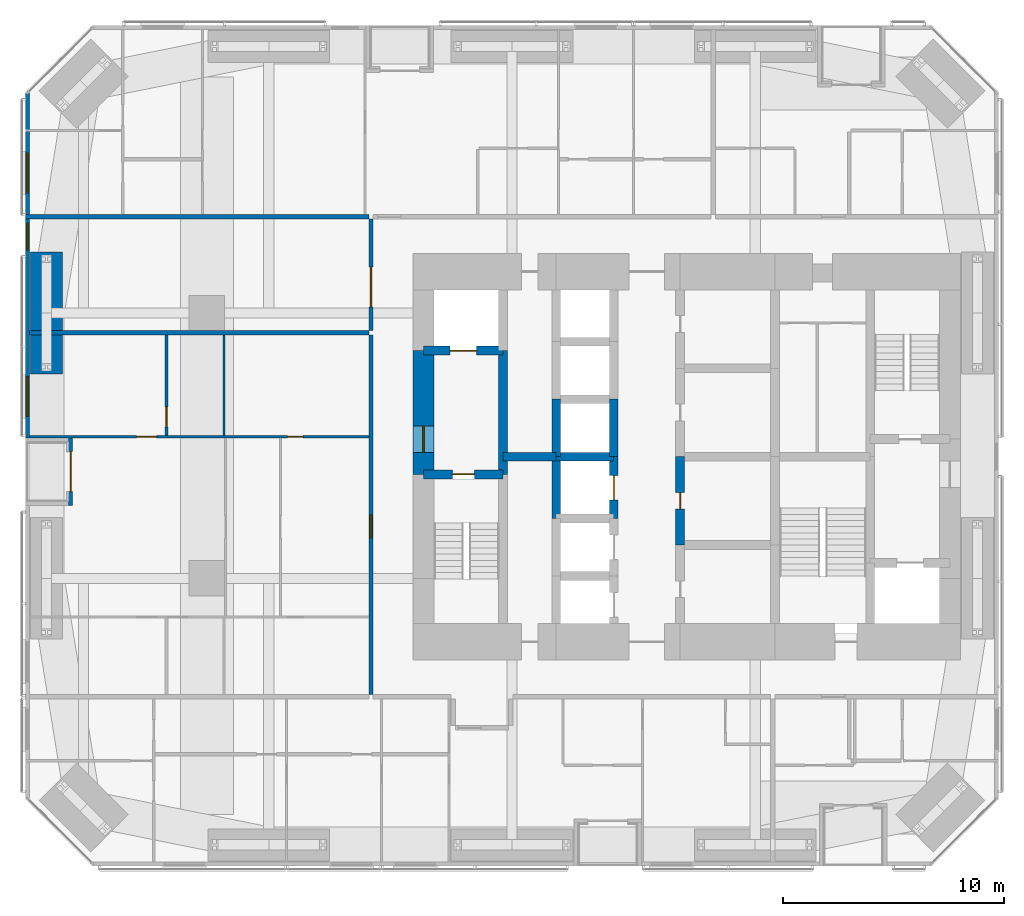
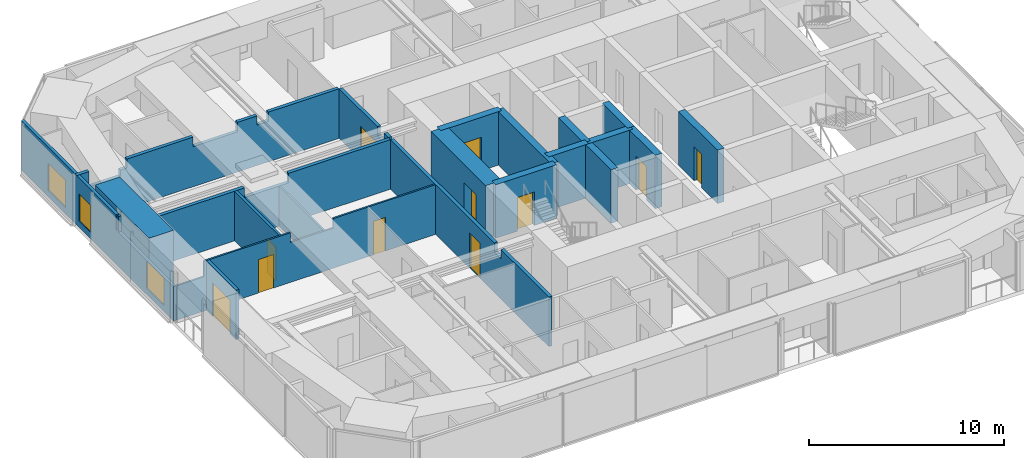
# One storey, part 19 of 24: 21 walls, 11 doors, 3 windows, 14 openings.
"""IFC4 building model written with IfcOpenShell, lengths in metres."""

from ifc_helpers import new_model, si_unit, direction, frame, frame_2d, origin, place, context, subcontext, project, spatial, polyline, rectangle, outline, extrude, material, layer, layer_set, constituent, constituent_set, type_object, element, fill, save


model = new_model("IFC4")

# Units and contexts
model_context = context("Model", 3, precision=1e-05, world=origin(), true_north=direction((0.0, 1.0)))
body_context = subcontext(model_context, "Body", "Model", "MODEL_VIEW")
ifc_project = project(units=[si_unit("LENGTHUNIT", "METRE"), si_unit("AREAUNIT", "SQUARE_METRE"), si_unit("VOLUMEUNIT", "CUBIC_METRE"), si_unit("PLANEANGLEUNIT", "RADIAN"), si_unit("MASSUNIT", "GRAM", prefix="KILO")], contexts=[model_context])

# Site, building, storey
site_placement = place(None, origin())
site = spatial("IfcSite", under=ifc_project, at=site_placement, CompositionType="ELEMENT")
building_placement = place(site_placement, origin())
building = spatial("IfcBuilding", under=site, at=building_placement, Name="Jalousie Tower", CompositionType="ELEMENT")
storey_placement = place(building_placement, frame((0.0, 0.0, 61.199951171875)))
storey = spatial("IfcBuildingStorey", under=building, at=storey_placement, Name="L16", CompositionType="ELEMENT", Elevation=61.199951171875)

# Wall, opening, door
ifc_material_1 = material(Name="Concrete block ASTM C90", Category="concrete")
ifc_constituent_1 = constituent(ifc_material_1, Name="Body")
ifc_material_2 = material(Name="Render")
ifc_constituent_2 = constituent(ifc_material_2, Name="Finish")
ifc_constituent_set_1 = constituent_set(constituents=[ifc_constituent_1, ifc_constituent_2])
wall_type_1 = type_object("IfcWallType", Name="BATHROOM WALL 150", PredefinedType="PLUMBINGWALL", material=ifc_constituent_set_1)
wall_1_placement = place(storey_placement, frame((8.375, 19.449951171875, 0.0), z_axis=(0.0, 0.0, 1.0), x_axis=(0.0, 1.0, 0.0)))
wall_1 = element("IfcWall", 1, at=wall_1_placement, inside=storey, type_object=wall_type_1, Name="Bathroom Wall 150 L16", PredefinedType="PLUMBINGWALL", context=body_context, shape_type="SweptSolid", body=[
    extrude(rectangle(XDim=4.550048828125, YDim=0.14990234375, at=frame_2d((2.27490234375, 0.0))), origin(), (0.0, 0.0, 1.0), 3.110107421875),
])
opening_1_placement = place(wall_1_placement, frame((0.39990234375, 0.0, 0.0)))
opening_1 = element("IfcOpeningElement", 2, at=opening_1_placement, cuts=wall_1, Name="Opening D3", PredefinedType="OPENING", context=body_context, shape_type="SweptSolid", body=[
    extrude(rectangle(XDim=0.89990234375, YDim=2.10009765625, at=frame_2d((0.449951171875, 1.050048828125))), frame((0.0, 0.0849609375, 0.0), z_axis=(0.0, -1.0, 0.0), x_axis=(1.0, 0.0, 0.0)), (0.0, 0.0, 1.0), 0.169921875),
])
ifc_material_3 = material(Name="Timber door", Category="wood")
door_type_1 = type_object("IfcDoorType", Name="BATHROOM DOOR 900", OperationType="SINGLE_SWING_LEFT", PredefinedType="DOOR", material=ifc_material_3)
door_1_placement = place(opening_1_placement, frame((0.89990234375, 0.0, 0.0), z_axis=(0.0, 0.0, 1.0), x_axis=(-1.0, 0.0, 0.0)))
door_1 = element("IfcDoor", 3, at=door_1_placement, inside=storey, type_object=door_type_1, Name="Apartment 1605 bedroom 2 bathroom door", OperationType="SINGLE_SWING_RIGHT", OverallHeight=2.10009765625, OverallWidth=0.89990234375, PredefinedType="DOOR", context=body_context, shape_type="SweptSolid", body=[
    extrude(rectangle(XDim=0.89990234375, YDim=2.10009765625, at=frame_2d((0.449951171875, 1.050048828125))), frame((0.0, 0.02490234375, 0.0), z_axis=(0.0, -1.0, 0.0), x_axis=(1.0, 0.0, 0.0)), (0.0, 0.0, 1.0), 0.050048828125),
])
fill(opening_1, door_1)

# Walls
ifc_material_4 = material(Name="Concrete f'c 120 MPa", Category="concrete")
ifc_layer_1 = layer(ifc_material_4, 0.39990234375)
ifc_layer_set_1 = layer_set([ifc_layer_1], Name="Concrete f'c 120 MPa")
wall_type_2 = type_object("IfcWallType", Name="CORE WALL 400", PredefinedType="SHEAR", material=ifc_layer_set_1)
wall_2_placement = place(storey_placement, frame((23.60009765625, 17.699951171875, 0.0), z_axis=(0.0, 0.0, 1.0), x_axis=(0.0, 1.0, 0.0)))
element("IfcWall", 4, at=wall_2_placement, inside=storey, type_object=wall_type_2, Name="Core wall X23.6B L16", PredefinedType="SHEAR", context=body_context, shape_type="SweptSolid", body=[
    extrude(rectangle(XDim=5.60009765625, YDim=0.39990234375, at=frame_2d((2.800048828125, 0.0))), origin(), (0.0, 0.0, 1.0), 3.35009765625),
])
wall_3_placement = place(storey_placement, frame((26.0, 15.699951171875, 0.0), z_axis=(0.0, 0.0, 1.0), x_axis=(0.0, 1.0, 0.0)))
element("IfcWall", 5, at=wall_3_placement, inside=storey, type_object=wall_type_2, Name="Core wall X26C L16", PredefinedType="SHEAR", context=body_context, shape_type="SweptSolid", body=[
    extrude(rectangle(XDim=2.800048828125, YDim=0.39990234375, at=frame_2d((1.39990234375, 0.0))), origin(), (0.0, 0.0, 1.0), 3.35009765625),
])
wall_4_placement = place(storey_placement, frame((26.0, 18.5, 0.0), z_axis=(0.0, 0.0, 1.0), x_axis=(0.0, 1.0, 0.0)))
element("IfcWall", 6, at=wall_4_placement, inside=storey, type_object=wall_type_2, Name="Core wall X26D L16", PredefinedType="SHEAR", context=body_context, shape_type="SweptSolid", body=[
    extrude(rectangle(XDim=2.60009765625, YDim=0.39990234375, at=frame_2d((1.300048828125, 0.0))), origin(), (0.0, 0.0, 1.0), 3.35009765625),
])

# Wall, opening, door
wall_5_placement = place(storey_placement, frame((28.60009765625, 15.699951171875, 0.0), z_axis=(0.0, 0.0, 1.0), x_axis=(0.0, 1.0, 0.0)))
wall_5 = element("IfcWall", 7, at=wall_5_placement, inside=storey, type_object=wall_type_2, Name="Core wall X28.6C L16", PredefinedType="SHEAR", context=body_context, shape_type="SweptSolid", body=[
    extrude(rectangle(XDim=2.800048828125, YDim=0.39990234375, at=frame_2d((1.39990234375, 0.0))), origin(), (0.0, 0.0, 1.0), 3.35009765625),
])
opening_2_placement = place(wall_5_placement, frame((0.85009765625, 0.0, 0.0)))
opening_2 = element("IfcOpeningElement", 8, at=opening_2_placement, cuts=wall_5, Name="Opening LD1", PredefinedType="OPENING", context=body_context, shape_type="SweptSolid", body=[
    extrude(rectangle(XDim=1.10009765625, YDim=2.10009765625, at=frame_2d((0.550048828125, 1.050048828125))), frame((0.0, 0.2099609375, 0.0), z_axis=(0.0, -1.0, 0.0), x_axis=(1.0, 0.0, 0.0)), (0.0, 0.0, 1.0), 0.419921875),
])
ifc_material_5 = material(Name="Steel lift landing door", Category="steel")
door_type_2 = type_object("IfcDoorType", Name="LIFT LANDING DOOR 1100", OperationType="SLIDING_TO_LEFT", PredefinedType="DOOR", material=ifc_material_5)
door_2_placement = place(opening_2_placement, origin())
door_2 = element("IfcDoor", 9, at=door_2_placement, inside=storey, type_object=door_type_2, Name="Lift P3 landing door", OperationType="SLIDING_TO_LEFT", OverallHeight=2.10009765625, OverallWidth=1.10009765625, PredefinedType="DOOR", context=body_context, shape_type="SweptSolid", body=[
    extrude(rectangle(XDim=1.10009765625, YDim=2.10009765625, at=frame_2d((0.550048828125, 1.050048828125))), frame((0.0, 0.02490234375, 0.0), z_axis=(0.0, -1.0, 0.0), x_axis=(1.0, 0.0, 0.0)), (0.0, 0.0, 1.0), 0.050048828125),
])
fill(opening_2, door_2)

# Wall
wall_6_placement = place(storey_placement, frame((28.60009765625, 18.5, 0.0), z_axis=(0.0, 0.0, 1.0), x_axis=(0.0, 1.0, 0.0)))
element("IfcWall", 10, at=wall_6_placement, inside=storey, type_object=wall_type_2, Name="Core wall X28.6D L16", PredefinedType="SHEAR", context=body_context, shape_type="SweptSolid", body=[
    extrude(rectangle(XDim=2.60009765625, YDim=0.39990234375, at=frame_2d((1.300048828125, 0.0))), origin(), (0.0, 0.0, 1.0), 3.35009765625),
])

# Wall, opening, door
wall_7_placement = place(storey_placement, frame((31.60009765625, 14.5, 0.0), z_axis=(0.0, 0.0, 1.0), x_axis=(0.0, 1.0, 0.0)))
wall_7 = element("IfcWall", 11, at=wall_7_placement, inside=storey, type_object=wall_type_2, Name="Core wall X31.6B L16", PredefinedType="SHEAR", context=body_context, shape_type="SweptSolid", body=[
    extrude(rectangle(XDim=4.0, YDim=0.39990234375, at=frame_2d((2.0, 0.0))), origin(), (0.0, 0.0, 1.0), 3.35009765625),
])
opening_3_placement = place(wall_7_placement, frame((1.625, 0.0, 0.0)))
opening_3 = element("IfcOpeningElement", 12, at=opening_3_placement, cuts=wall_7, Name="Opening D16", PredefinedType="OPENING", context=body_context, shape_type="SweptSolid", body=[
    extrude(rectangle(XDim=0.75, YDim=2.10009765625, at=frame_2d((0.375, 1.050048828125))), frame((0.0, 0.2099609375, 0.0), z_axis=(0.0, -1.0, 0.0), x_axis=(1.0, 0.0, 0.0)), (0.0, 0.0, 1.0), 0.419921875),
])
ifc_material_6 = material(Name="Steel fire door", Category="steel")
door_type_3 = type_object("IfcDoorType", Name="RISER DOOR 750", OperationType="SINGLE_SWING_LEFT", PredefinedType="DOOR", material=ifc_material_6)
door_3_placement = place(opening_3_placement, frame((0.75, 0.0, 0.0), z_axis=(0.0, 0.0, 1.0), x_axis=(-1.0, 0.0, 0.0)))
door_3 = element("IfcDoor", 13, at=door_3_placement, inside=storey, type_object=door_type_3, Name="Electrical Room door", OperationType="SINGLE_SWING_LEFT", OverallHeight=2.10009765625, OverallWidth=0.75, PredefinedType="DOOR", context=body_context, shape_type="SweptSolid", body=[
    extrude(rectangle(XDim=0.75, YDim=2.10009765625, at=frame_2d((0.375, 1.050048828125))), frame((0.0, 0.02490234375, 0.0), z_axis=(0.0, -1.0, 0.0), x_axis=(1.0, 0.0, 0.0)), (0.0, 0.0, 1.0), 0.050048828125),
])
fill(opening_3, door_3)

wall_8_placement = place(storey_placement, frame((20.0, 17.699951171875, 0.0), z_axis=(0.0, 0.0, 1.0), x_axis=(1.0, 0.0, 0.0)))
wall_8 = element("IfcWall", 14, at=wall_8_placement, inside=storey, type_object=wall_type_2, Name="Core wall Y20-17.7 L16", PredefinedType="SHEAR", context=body_context, shape_type="SweptSolid", body=[
    extrude(rectangle(XDim=3.60009765625, YDim=0.39990234375, at=frame_2d((1.800048828125, 0.0))), origin(), (0.0, 0.0, 1.0), 3.35009765625),
])
opening_4_placement = place(wall_8_placement, frame((1.300048828125, 0.0, 0.0)))
opening_4 = element("IfcOpeningElement", 15, at=opening_4_placement, cuts=wall_8, Name="Opening D10", PredefinedType="OPENING", context=body_context, shape_type="SweptSolid", body=[
    extrude(rectangle(XDim=1.0, YDim=2.10009765625, at=frame_2d((0.5, 1.050048828125))), frame((0.0, 0.2099609375, 0.0), z_axis=(0.0, -1.0, 0.0), x_axis=(1.0, 0.0, 0.0)), (0.0, 0.0, 1.0), 0.419921875),
])
ifc_material_7 = material(Name="Steel fire door", Category="steel")
door_type_4 = type_object("IfcDoorType", Name="STAIR DOOR 1000", OperationType="SINGLE_SWING_LEFT", PredefinedType="DOOR", material=ifc_material_7)
door_4_placement = place(opening_4_placement, frame((1.0, 0.0, 0.0), z_axis=(0.0, 0.0, 1.0), x_axis=(-1.0, 0.0, 0.0)))
door_4 = element("IfcDoor", 16, at=door_4_placement, inside=storey, type_object=door_type_4, Name="Exit stair A door", OperationType="SINGLE_SWING_RIGHT", OverallHeight=2.10009765625, OverallWidth=1.0, PredefinedType="DOOR", context=body_context, shape_type="SweptSolid", body=[
    extrude(rectangle(XDim=1.0, YDim=2.10009765625, at=frame_2d((0.5, 1.050048828125))), frame((0.0, 0.02490234375, 0.0), z_axis=(0.0, -1.0, 0.0), x_axis=(1.0, 0.0, 0.0)), (0.0, 0.0, 1.0), 0.050048828125),
])
fill(opening_4, door_4)

wall_9_placement = place(storey_placement, frame((20.0, 23.300048828125, 0.0), z_axis=(0.0, 0.0, 1.0), x_axis=(1.0, 0.0, 0.0)))
wall_9 = element("IfcWall", 17, at=wall_9_placement, inside=storey, type_object=wall_type_2, Name="Core wall Y20-23.3 L16", PredefinedType="SHEAR", context=body_context, shape_type="SweptSolid", body=[
    extrude(rectangle(XDim=3.60009765625, YDim=0.39990234375, at=frame_2d((1.800048828125, 0.0))), origin(), (0.0, 0.0, 1.0), 3.35009765625),
])
opening_5_placement = place(wall_9_placement, frame((1.199951171875, 0.0, 0.0)))
opening_5 = element("IfcOpeningElement", 18, at=opening_5_placement, cuts=wall_9, Name="Opening LD2", PredefinedType="OPENING", context=body_context, shape_type="SweptSolid", body=[
    extrude(rectangle(XDim=1.199951171875, YDim=2.10009765625, at=frame_2d((0.60009765625, 1.050048828125))), frame((0.0, 0.2099609375, 0.0), z_axis=(0.0, -1.0, 0.0), x_axis=(1.0, 0.0, 0.0)), (0.0, 0.0, 1.0), 0.419921875),
])
ifc_material_8 = material(Name="Steel lift landing door", Category="steel")
door_type_5 = type_object("IfcDoorType", Name="LIFT LANDING DOOR 1200", OperationType="SLIDING_TO_LEFT", PredefinedType="DOOR", material=ifc_material_8)
door_5_placement = place(opening_5_placement, origin())
door_5 = element("IfcDoor", 19, at=door_5_placement, inside=storey, type_object=door_type_5, Name="Lift F1 landing door", OperationType="SLIDING_TO_LEFT", OverallHeight=2.10009765625, OverallWidth=1.199951171875, PredefinedType="DOOR", context=body_context, shape_type="SweptSolid", body=[
    extrude(rectangle(XDim=1.199951171875, YDim=2.10009765625, at=frame_2d((0.60009765625, 1.050048828125))), frame((0.0, 0.02490234375, 0.0), z_axis=(0.0, -1.0, 0.0), x_axis=(1.0, 0.0, 0.0)), (0.0, 0.0, 1.0), 0.050048828125),
])
fill(opening_5, door_5)

# Walls
wall_10_placement = place(storey_placement, frame((23.60009765625, 18.5, 0.0), z_axis=(0.0, 0.0, 1.0), x_axis=(1.0, 0.0, 0.0)))
element("IfcWall", 20, at=wall_10_placement, inside=storey, type_object=wall_type_2, Name="Core wall Y23.6-18.5 L16", PredefinedType="SHEAR", context=body_context, shape_type="SweptSolid", body=[
    extrude(rectangle(XDim=2.39990234375, YDim=0.39990234375, at=frame_2d((1.199951171875, 0.0))), origin(), (0.0, 0.0, 1.0), 3.35009765625),
])
wall_11_placement = place(storey_placement, frame((26.0, 18.5, 0.0), z_axis=(0.0, 0.0, 1.0), x_axis=(1.0, 0.0, 0.0)))
element("IfcWall", 21, at=wall_11_placement, inside=storey, type_object=wall_type_2, Name="Core wall Y26-18.5 L16", PredefinedType="SHEAR", context=body_context, shape_type="SweptSolid", body=[
    extrude(rectangle(XDim=2.60009765625, YDim=0.39990234375, at=frame_2d((1.300048828125, 0.0))), origin(), (0.0, 0.0, 1.0), 3.35009765625),
])

# Wall, opening, door
ifc_material_9 = material(Name="Concrete f'c 120 MPa", Category="concrete")
ifc_layer_2 = layer(ifc_material_9, 0.949951171875)
ifc_layer_set_2 = layer_set([ifc_layer_2], Name="Concrete f'c 120 MPa")
wall_type_3 = type_object("IfcWallType", Name="CORE WALL 950", PredefinedType="SHEAR", material=ifc_layer_set_2)
wall_12_placement = place(storey_placement, frame((20.0, 23.300048828125, 0.0), z_axis=(0.0, 0.0, 1.0), x_axis=(0.0, -1.0, 0.0)))
wall_12 = element("IfcWall", 22, at=wall_12_placement, inside=storey, type_object=wall_type_3, Name="Core wall WB L16", PredefinedType="SHEAR", context=body_context, shape_type="SweptSolid", body=[
    extrude(rectangle(XDim=5.60009765625, YDim=0.949951171875, at=frame_2d((2.800048828125, 0.0))), origin(), (0.0, 0.0, 1.0), 3.35009765625),
])
opening_6_placement = place(wall_12_placement, frame((3.39990234375, 0.0, 0.0)))
opening_6 = element("IfcOpeningElement", 23, at=opening_6_placement, cuts=wall_12, Name="Opening D11", PredefinedType="OPENING", context=body_context, shape_type="SweptSolid", body=[
    extrude(rectangle(XDim=1.199951171875, YDim=2.199951171875, at=frame_2d((0.60009765625, 1.10009765625))), frame((0.0, 0.48486328125, 0.0), z_axis=(0.0, -1.0, 0.0), x_axis=(1.0, 0.0, 0.0)), (0.0, 0.0, 1.0), 0.969970703125),
])
ifc_material_10 = material(Name="Steel fire door", Category="steel")
door_type_6 = type_object("IfcDoorType", Name="FIRE DOOR 1200", OperationType="SINGLE_SWING_LEFT", PredefinedType="DOOR", material=ifc_material_10)
door_6_placement = place(opening_6_placement, origin())
door_6 = element("IfcDoor", 24, at=door_6_placement, inside=storey, type_object=door_type_6, Name="Fire-fighting lobby A door", OperationType="SINGLE_SWING_RIGHT", OverallHeight=2.199951171875, OverallWidth=1.199951171875, PredefinedType="DOOR", context=body_context, shape_type="SweptSolid", body=[
    extrude(rectangle(XDim=1.199951171875, YDim=2.199951171875, at=frame_2d((0.60009765625, 1.10009765625))), frame((0.0, 0.02490234375, 0.0), z_axis=(0.0, -1.0, 0.0), x_axis=(1.0, 0.0, 0.0)), (0.0, 0.0, 1.0), 0.050048828125),
])
fill(opening_6, door_6)

ifc_material_11 = material(Name="Concrete block ASTM C90", Category="concrete")
ifc_constituent_3 = constituent(ifc_material_11, Name="Body")
ifc_material_12 = material(Name="Render")
ifc_constituent_4 = constituent(ifc_material_12, Name="Finish")
ifc_constituent_set_2 = constituent_set(constituents=[ifc_constituent_3, ifc_constituent_4])
wall_type_4 = type_object("IfcWallType", Name="CORRIDOR WALL 200", PredefinedType="PARTITIONING", material=ifc_constituent_set_2)
wall_13_placement = place(storey_placement, frame((17.625, 7.75, 0.0), z_axis=(0.0, 0.0, 1.0), x_axis=(0.0, 1.0, 0.0)))
wall_13 = element("IfcWall", 25, at=wall_13_placement, inside=storey, type_object=wall_type_4, Name="Corridor Wall 200 L16", PredefinedType="PARTITIONING", context=body_context, shape_type="SweptSolid", body=[
    extrude(outline(polyline([(0.0, 0.0), (16.25, 0.0), (16.25, 3.110107421875), (5.58740234375, 3.110107421875), (5.58740234375, 2.541015625), (4.91259765625, 2.541015625), (4.91259765625, 3.110107421875), (0.0, 3.110107421875), (0.0, 0.0)])), frame((0.0, 0.10009765625, 0.0), z_axis=(0.0, -1.0, 0.0), x_axis=(1.0, 0.0, 0.0)), (0.0, 0.0, 1.0), 0.199951171875),
])
opening_7_placement = place(wall_13_placement, frame((7.074951171875, 0.0, 0.0)))
opening_7 = element("IfcOpeningElement", 26, at=opening_7_placement, cuts=wall_13, Name="Opening D1", PredefinedType="OPENING", context=body_context, shape_type="SweptSolid", body=[
    extrude(rectangle(XDim=1.050048828125, YDim=2.199951171875, at=frame_2d((0.52490234375, 1.10009765625))), frame((0.0, 0.10986328125, 0.0), z_axis=(0.0, -1.0, 0.0), x_axis=(1.0, 0.0, 0.0)), (0.0, 0.0, 1.0), 0.219970703125),
])
ifc_material_13 = material(Name="Timber fire door", Category="wood")
door_type_7 = type_object("IfcDoorType", Name="APARTMENT ENTRANCE DOOR 1050", OperationType="SINGLE_SWING_LEFT", PredefinedType="DOOR", material=ifc_material_13)
door_7_placement = place(opening_7_placement, origin())
door_7 = element("IfcDoor", 27, at=door_7_placement, inside=storey, type_object=door_type_7, Name="Apartment 1605 entrance", OperationType="SINGLE_SWING_LEFT", OverallHeight=2.199951171875, OverallWidth=1.050048828125, PredefinedType="DOOR", context=body_context, shape_type="SweptSolid", body=[
    extrude(rectangle(XDim=1.050048828125, YDim=2.199951171875, at=frame_2d((0.52490234375, 1.10009765625))), frame((0.0, 0.02490234375, 0.0), z_axis=(0.0, -1.0, 0.0), x_axis=(1.0, 0.0, 0.0)), (0.0, 0.0, 1.0), 0.050048828125),
])
fill(opening_7, door_7)

wall_14_placement = place(storey_placement, frame((17.625, 24.199951171875, 0.0), z_axis=(0.0, 0.0, 1.0), x_axis=(0.0, 1.0, 0.0)))
wall_14 = element("IfcWall", 28, at=wall_14_placement, inside=storey, type_object=wall_type_4, Name="Corridor Wall 200 L16", PredefinedType="PARTITIONING", context=body_context, shape_type="SweptSolid", body=[
    extrude(outline(polyline([(0.0, 0.0), (5.050048828125, 0.0), (5.050048828125, 3.110107421875), (1.13720703125, 3.110107421875), (1.13720703125, 2.541015625), (0.462646484375, 2.541015625), (0.462646484375, 3.110107421875), (0.0, 3.110107421875), (0.0, 0.0)])), frame((0.0, 0.10009765625, 0.0), z_axis=(0.0, -1.0, 0.0), x_axis=(1.0, 0.0, 0.0)), (0.0, 0.0, 1.0), 0.199951171875),
])
opening_8_placement = place(wall_14_placement, frame((1.074951171875, 0.0, 0.0)))
opening_8 = element("IfcOpeningElement", 29, at=opening_8_placement, cuts=wall_14, Name="Opening D22", PredefinedType="OPENING", context=body_context, shape_type="SweptSolid", body=[
    extrude(rectangle(XDim=1.800048828125, YDim=2.10009765625, at=frame_2d((0.89990234375, 1.050048828125))), frame((0.0, 0.10986328125, 0.0), z_axis=(0.0, -1.0, 0.0), x_axis=(1.0, 0.0, 0.0)), (0.0, 0.0, 1.0), 0.219970703125),
])
ifc_material_14 = material(Name="Timber fire door", Category="wood")
door_type_8 = type_object("IfcDoorType", Name="CORRIDOR DOUBLE DOOR 1800", OperationType="DOUBLE_DOOR_SINGLE_SWING", PredefinedType="DOOR", material=ifc_material_14)
door_8_placement = place(opening_8_placement, origin())
door_8 = element("IfcDoor", 30, at=door_8_placement, inside=storey, type_object=door_type_8, Name="Residents' co-working room door", OperationType="DOUBLE_DOOR_SINGLE_SWING", OverallHeight=2.10009765625, OverallWidth=1.800048828125, PredefinedType="DOOR", context=body_context, shape_type="SweptSolid", body=[
    extrude(rectangle(XDim=1.800048828125, YDim=2.10009765625, at=frame_2d((0.89990234375, 1.050048828125))), frame((0.0, 0.02490234375, 0.0), z_axis=(0.0, -1.0, 0.0), x_axis=(1.0, 0.0, 0.0)), (0.0, 0.0, 1.0), 0.050048828125),
])
fill(opening_8, door_8)

# Wall, openings, windows
ifc_material_15 = material(Name="Concrete f'c 40 MPa", Category="concrete")
ifc_constituent_5 = constituent(ifc_material_15, Name="Body")
ifc_material_16 = material(Name="Render, pastel coral")
ifc_constituent_6 = constituent(ifc_material_16, Name="Finish")
ifc_constituent_set_3 = constituent_set(constituents=[ifc_constituent_5, ifc_constituent_6])
wall_type_5 = type_object("IfcWallType", Name="EXTERNAL WALL 175 CORAL RENDER", PredefinedType="SOLIDWALL", material=ifc_constituent_set_3)
wall_15_placement = place(storey_placement, frame((2.08740234375, 34.94873046875, 0.0), z_axis=(0.0, 0.0, 1.0), x_axis=(0.0, -1.0, 0.0)))
wall_15 = element("IfcWall", 31, at=wall_15_placement, inside=storey, type_object=wall_type_5, Name="External Wall 175 Coral Render L16", PredefinedType="SOLIDWALL", context=body_context, shape_type="SweptSolid", body=[
    extrude(outline(polyline([(0.0, 0.0), (15.5986328125, 0.0), (15.5986328125, 2.150146484375), (9.94873046875, 2.150146484375), (9.94873046875, 3.110107421875), (9.822998046875, 3.110107421875), (9.822998046875, 2.150146484375), (9.72998046875, 2.150146484375), (9.72998046875, 3.110107421875), (0.0, 3.110107421875), (0.0, 0.0)])), frame((0.0, 0.08740234375, 0.0), z_axis=(0.0, -1.0, 0.0), x_axis=(1.0, 0.0, 0.0)), (0.0, 0.0, 1.0), 0.175048828125),
])
opening_9_placement = place(wall_15_placement, frame((2.72216796875, 0.0, 0.39990234375)))
opening_9 = element("IfcOpeningElement", 32, at=opening_9_placement, cuts=wall_15, Name="Opening W-BED170", PredefinedType="OPENING", context=body_context, shape_type="SweptSolid", body=[
    extrude(rectangle(XDim=1.800048828125, YDim=1.699951171875, at=frame_2d((0.89990234375, 0.85009765625))), frame((0.0, 0.097412109375, 0.0), z_axis=(0.0, -1.0, 0.0), x_axis=(1.0, 0.0, 0.0)), (0.0, 0.0, 1.0), 0.195068359375),
])
opening_10_placement = place(wall_15_placement, frame((5.898681640625, 0.0, 0.39990234375)))
opening_10 = element("IfcOpeningElement", 33, at=opening_10_placement, cuts=wall_15, Name="Opening W-COR170", PredefinedType="OPENING", context=body_context, shape_type="SweptSolid", body=[
    extrude(rectangle(XDim=1.199951171875, YDim=1.699951171875, at=frame_2d((0.60009765625, 0.85009765625))), frame((0.0, 0.097412109375, 0.0), z_axis=(0.0, -1.0, 0.0), x_axis=(1.0, 0.0, 0.0)), (0.0, 0.0, 1.0), 0.195068359375),
])
opening_11_placement = place(wall_15_placement, frame((12.82373046875, 0.0, 0.39990234375)))
opening_11 = element("IfcOpeningElement", 34, at=opening_11_placement, cuts=wall_15, Name="Opening W-BED170", PredefinedType="OPENING", context=body_context, shape_type="SweptSolid", body=[
    extrude(rectangle(XDim=1.800048828125, YDim=1.699951171875, at=frame_2d((0.89990234375, 0.85009765625))), frame((0.0, 0.097412109375, 0.0), z_axis=(0.0, -1.0, 0.0), x_axis=(1.0, 0.0, 0.0)), (0.0, 0.0, 1.0), 0.195068359375),
])
ifc_material_17 = material(Name="Aluminium frame, impact-rated glazing", Category="aluminium")
window_type_1 = type_object("IfcWindowType", Name="WINDOW BED 1800x1700", PartitioningType="SINGLE_PANEL", PredefinedType="WINDOW", material=ifc_material_17)
window_1_placement = place(opening_9_placement, origin())
window_1 = element("IfcWindow", 35, at=window_1_placement, inside=storey, type_object=window_type_1, Name="Apartment 1603 bedroom 1 window", OverallHeight=1.699951171875, OverallWidth=1.800048828125, PartitioningType="SINGLE_PANEL", PredefinedType="WINDOW", context=body_context, shape_type="SweptSolid", body=[
    extrude(rectangle(XDim=1.800048828125, YDim=1.699951171875, at=frame_2d((0.89990234375, 0.85009765625))), frame((0.0, 0.030029296875, 0.0), z_axis=(0.0, -1.0, 0.0), x_axis=(1.0, 0.0, 0.0)), (0.0, 0.0, 1.0), 0.06005859375),
])
fill(opening_9, window_1)
window_2_placement = place(opening_11_placement, origin())
window_2 = element("IfcWindow", 36, at=window_2_placement, inside=storey, type_object=window_type_1, Name="Apartment 1605 bedroom 2 window", OverallHeight=1.699951171875, OverallWidth=1.800048828125, PartitioningType="SINGLE_PANEL", PredefinedType="WINDOW", context=body_context, shape_type="SweptSolid", body=[
    extrude(rectangle(XDim=1.800048828125, YDim=1.699951171875, at=frame_2d((0.89990234375, 0.85009765625))), frame((0.0, 0.030029296875, 0.0), z_axis=(0.0, -1.0, 0.0), x_axis=(1.0, 0.0, 0.0)), (0.0, 0.0, 1.0), 0.06005859375),
])
fill(opening_11, window_2)
ifc_material_18 = material(Name="Aluminium frame, impact-rated glazing", Category="aluminium")
window_type_2 = type_object("IfcWindowType", Name="WINDOW COR 1200x1700", PartitioningType="SINGLE_PANEL", PredefinedType="WINDOW", material=ifc_material_18)
window_3_placement = place(opening_10_placement, origin())
window_3 = element("IfcWindow", 37, at=window_3_placement, inside=storey, type_object=window_type_2, Name="Residents' co-working room window", OverallHeight=1.699951171875, OverallWidth=1.199951171875, PartitioningType="SINGLE_PANEL", PredefinedType="WINDOW", context=body_context, shape_type="SweptSolid", body=[
    extrude(rectangle(XDim=1.199951171875, YDim=1.699951171875, at=frame_2d((0.60009765625, 0.85009765625))), frame((0.0, 0.030029296875, 0.0), z_axis=(0.0, -1.0, 0.0), x_axis=(1.0, 0.0, 0.0)), (0.0, 0.0, 1.0), 0.06005859375),
])
fill(opening_10, window_3)

# Wall, opening, door
wall_16_placement = place(storey_placement, frame((4.03759765625, 19.35009765625, 0.0), z_axis=(0.0, 0.0, 1.0), x_axis=(0.0, -1.0, 0.0)))
wall_16 = element("IfcWall", 38, at=wall_16_placement, inside=storey, type_object=wall_type_5, Name="External Wall 175 Coral Render L16", PredefinedType="SOLIDWALL", context=body_context, shape_type="SweptSolid", body=[
    extrude(rectangle(XDim=3.050048828125, YDim=0.175048828125, at=frame_2d((1.52490234375, 0.0))), origin(), (0.0, 0.0, 1.0), 3.110107421875),
])
opening_12_placement = place(wall_16_placement, frame((0.625, 0.0, 0.0)))
opening_12 = element("IfcOpeningElement", 39, at=opening_12_placement, cuts=wall_16, Name="Opening D-BAL21", PredefinedType="OPENING", context=body_context, shape_type="SweptSolid", body=[
    extrude(rectangle(XDim=1.800048828125, YDim=2.10009765625, at=frame_2d((0.89990234375, 1.050048828125))), frame((0.0, 0.097412109375, 0.0), z_axis=(0.0, -1.0, 0.0), x_axis=(1.0, 0.0, 0.0)), (0.0, 0.0, 1.0), 0.195068359375),
])
ifc_material_19 = material(Name="Aluminium frame, impact-rated glazing", Category="aluminium")
door_type_9 = type_object("IfcDoorType", Name="BALCONY DOOR 1800x2100", OperationType="SLIDING_TO_LEFT", PredefinedType="DOOR", material=ifc_material_19)
door_9_placement = place(opening_12_placement, origin())
door_9 = element("IfcDoor", 40, at=door_9_placement, inside=storey, type_object=door_type_9, Name="Apartment 1605 living room loggia door", OperationType="SLIDING_TO_LEFT", OverallHeight=2.10009765625, OverallWidth=1.800048828125, PredefinedType="DOOR", context=body_context, shape_type="SweptSolid", body=[
    extrude(rectangle(XDim=1.800048828125, YDim=2.10009765625, at=frame_2d((0.89990234375, 1.050048828125))), frame((0.0, 0.02490234375, 0.0), z_axis=(0.0, -1.0, 0.0), x_axis=(1.0, 0.0, 0.0)), (0.0, 0.0, 1.0), 0.050048828125),
])
fill(opening_12, door_9)

# Wall, openings, doors
ifc_material_20 = material(Name="Gypsum board", Category="gypsum")
ifc_constituent_7 = constituent(ifc_material_20, Name="Body")
ifc_material_21 = material(Name="Light-gauge steel studs ASTM A653 SS Grade 33", Category="steel")
ifc_constituent_8 = constituent(ifc_material_21, Name="Framing")
ifc_constituent_set_4 = constituent_set(constituents=[ifc_constituent_7, ifc_constituent_8])
wall_type_6 = type_object("IfcWallType", Name="PARTITION 100", PredefinedType="PARTITIONING", material=ifc_constituent_set_4)
wall_17_placement = place(storey_placement, frame((2.175048828125, 19.39990234375, 0.0), z_axis=(0.0, 0.0, 1.0), x_axis=(1.0, 0.0, 0.0)))
wall_17 = element("IfcWall", 41, at=wall_17_placement, inside=storey, type_object=wall_type_6, Name="Partition 100 L16", PredefinedType="PARTITIONING", context=body_context, shape_type="SweptSolid", body=[
    extrude(outline(polyline([(0.0, 0.0), (15.349853515625, 0.0), (15.35009765625, 3.110107421875), (9.284912109375, 3.110107421875), (9.284912109375, 2.510009765625), (6.764892578125, 2.510009765625), (6.764892578125, 3.110107421875), (1.635009765625, 3.110107421875), (1.635009765625, 2.150146484375), (0.0, 2.150146484375), (0.0, 3.110107421875), (0.0, 0.0)])), frame((0.0, 0.050048828125, 0.0), z_axis=(0.0, -1.0, 0.0), x_axis=(1.0, 0.0, 0.0)), (0.0, 0.0, 1.0), 0.10009765625),
])
opening_13_placement = place(wall_17_placement, frame((4.85009765625, 0.0, 0.0)))
opening_13 = element("IfcOpeningElement", 42, at=opening_13_placement, cuts=wall_17, Name="Opening D2", PredefinedType="OPENING", context=body_context, shape_type="SweptSolid", body=[
    extrude(rectangle(XDim=0.89990234375, YDim=2.10009765625, at=frame_2d((0.449951171875, 1.050048828125))), frame((0.0, 0.06005859375, 0.0), z_axis=(0.0, -1.0, 0.0), x_axis=(1.0, 0.0, 0.0)), (0.0, 0.0, 1.0), 0.1201171875),
])
opening_14_placement = place(wall_17_placement, frame((11.675048828125, 0.0, 0.0)))
opening_14 = element("IfcOpeningElement", 43, at=opening_14_placement, cuts=wall_17, Name="Opening D4", PredefinedType="OPENING", context=body_context, shape_type="SweptSolid", body=[
    extrude(rectangle(XDim=0.699951171875, YDim=2.10009765625, at=frame_2d((0.35009765625, 1.050048828125))), frame((0.0, 0.06005859375, 0.0), z_axis=(0.0, -1.0, 0.0), x_axis=(1.0, 0.0, 0.0)), (0.0, 0.0, 1.0), 0.1201171875),
])
ifc_material_22 = material(Name="Timber door", Category="wood")
door_type_10 = type_object("IfcDoorType", Name="BEDROOM DOOR 900", OperationType="SINGLE_SWING_LEFT", PredefinedType="DOOR", material=ifc_material_22)
door_10_placement = place(opening_13_placement, origin())
door_10 = element("IfcDoor", 44, at=door_10_placement, inside=storey, type_object=door_type_10, Name="Apartment 1605 bedroom 2 door", OperationType="SINGLE_SWING_RIGHT", OverallHeight=2.10009765625, OverallWidth=0.89990234375, PredefinedType="DOOR", context=body_context, shape_type="SweptSolid", body=[
    extrude(rectangle(XDim=0.89990234375, YDim=2.10009765625, at=frame_2d((0.449951171875, 1.050048828125))), frame((0.0, 0.02490234375, 0.0), z_axis=(0.0, -1.0, 0.0), x_axis=(1.0, 0.0, 0.0)), (0.0, 0.0, 1.0), 0.050048828125),
])
fill(opening_13, door_10)
ifc_material_23 = material(Name="Timber door", Category="wood")
door_type_11 = type_object("IfcDoorType", Name="STORE DOOR 700", OperationType="SINGLE_SWING_LEFT", PredefinedType="DOOR", material=ifc_material_23)
door_11_placement = place(opening_14_placement, origin())
door_11 = element("IfcDoor", 45, at=door_11_placement, inside=storey, type_object=door_type_11, Name="Apartment 1605 store door", OperationType="SINGLE_SWING_LEFT", OverallHeight=2.10009765625, OverallWidth=0.699951171875, PredefinedType="DOOR", context=body_context, shape_type="SweptSolid", body=[
    extrude(rectangle(XDim=0.699951171875, YDim=2.10009765625, at=frame_2d((0.35009765625, 1.050048828125))), frame((0.0, 0.02490234375, 0.0), z_axis=(0.0, -1.0, 0.0), x_axis=(1.0, 0.0, 0.0)), (0.0, 0.0, 1.0), 0.050048828125),
])
fill(opening_14, door_11)

# Walls
wall_18_placement = place(storey_placement, frame((10.97509765625, 19.449951171875, 0.0), z_axis=(0.0, 0.0, 1.0), x_axis=(0.0, 1.0, 0.0)))
element("IfcWall", 46, at=wall_18_placement, inside=storey, type_object=wall_type_6, Name="Partition 100 L16", PredefinedType="PARTITIONING", context=body_context, shape_type="SweptSolid", body=[
    extrude(outline(polyline([(0.0, 0.0), (4.550048828125, 0.0), (4.550048828125, 3.110107421875), (4.550048828125, 2.510009765625), (0.0, 2.510009765625), (0.0, 3.110107421875), (0.0, 0.0)])), frame((0.0, 0.050048828125, 0.0), z_axis=(0.0, -1.0, 0.0), x_axis=(1.0, 0.0, 0.0)), (0.0, 0.0, 1.0), 0.10009765625),
])
ifc_material_24 = material(Name="Concrete block ASTM C90", Category="concrete")
ifc_constituent_9 = constituent(ifc_material_24, Name="Body")
ifc_material_25 = material(Name="Render")
ifc_constituent_10 = constituent(ifc_material_25, Name="Finish")
ifc_constituent_set_5 = constituent_set(constituents=[ifc_constituent_9, ifc_constituent_10])
wall_type_7 = type_object("IfcWallType", Name="PARTY WALL 200", PredefinedType="PARTITIONING", material=ifc_constituent_set_5)
wall_19_placement = place(storey_placement, frame((2.0, 29.35009765625, 0.0), z_axis=(0.0, 0.0, 1.0), x_axis=(1.0, 0.0, 0.0)))
element("IfcWall", 47, at=wall_19_placement, inside=storey, type_object=wall_type_7, Name="Party Wall 200 L16", PredefinedType="PARTITIONING", context=body_context, shape_type="SweptSolid", body=[
    extrude(outline(polyline([(0.0, 0.0), (15.52490234375, 0.0), (15.52490234375, 3.110107421875), (11.33740234375, 3.110107421875), (11.33740234375, 2.541015625), (10.66259765625, 2.541015625), (10.66259765625, 3.110107421875), (9.510009765625, 3.110107421875), (9.510009765625, 2.510009765625), (6.889892578125, 2.510009765625), (6.889892578125, 3.110107421875), (2.96875, 3.110107421875), (2.96875, 2.541015625), (2.577392578125, 2.541015625), (2.577392578125, 2.150146484375), (0.7333984375, 2.150146484375), (0.7333984375, 3.110107421875), (0.0, 3.110107421875), (0.0, 0.0)])), frame((0.0, 0.10009765625, 0.0), z_axis=(0.0, -1.0, 0.0), x_axis=(1.0, 0.0, 0.0)), (0.0, 0.0, 1.0), 0.199951171875),
])
wall_20_placement = place(storey_placement, frame((2.175048828125, 24.10009765625, 0.0), z_axis=(0.0, 0.0, 1.0), x_axis=(1.0, 0.0, 0.0)))
element("IfcWall", 48, at=wall_20_placement, inside=storey, type_object=wall_type_7, Name="Party Wall 200 L16", PredefinedType="PARTITIONING", context=body_context, shape_type="SweptSolid", body=[
    extrude(outline(polyline([(0.52880859375, 2.150146484375), (0.0, 2.150146484375), (0.0, 0.0), (0.52880859375, 0.0), (0.52880859375, 0.888916015625), (1.021240234375, 0.888916015625), (1.021240234375, 0.0), (15.35009765625, 0.0), (15.35009765625, 3.110107421875), (9.3349609375, 3.110107421875), (9.3349609375, 2.510009765625), (6.715087890625, 2.510009765625), (6.715087890625, 3.110107421875), (1.68505859375, 3.110107421875), (1.68505859375, 2.150146484375), (1.021240234375, 2.150146484375), (1.021240234375, 1.26123046875), (0.52880859375, 1.26123046875), (0.52880859375, 2.150146484375)])), frame((0.0, 0.10009765625, 0.0), z_axis=(0.0, -1.0, 0.0), x_axis=(1.0, 0.0, 0.0)), (0.0, 0.0, 1.0), 0.199951171875),
])
ifc_material_26 = material(Name="Concrete f'c 120 MPa", Category="concrete")
ifc_layer_3 = layer(ifc_material_26, 1.449951171875)
ifc_layer_set_3 = layer_set([ifc_layer_3], Name="Concrete f'c 120 MPa")
wall_type_8 = type_object("IfcWallType", Name="RC WALL PIER 1450", PredefinedType="SHEAR", material=ifc_layer_set_3)
wall_21_placement = place(storey_placement, frame((2.949951171875, 22.25, 0.0), z_axis=(0.0, 0.0, 1.0), x_axis=(0.0, 1.0, 0.0)))
element("IfcWall", 49, at=wall_21_placement, inside=storey, type_object=wall_type_8, Name="Wall pier 13 L16", PredefinedType="SHEAR", context=body_context, shape_type="SweptSolid", body=[
    extrude(rectangle(XDim=5.5, YDim=1.449951171875, at=frame_2d((2.75, 0.0))), origin(), (0.0, 0.0, 1.0), 3.35009765625),
])

save(model, "model.ifc")
